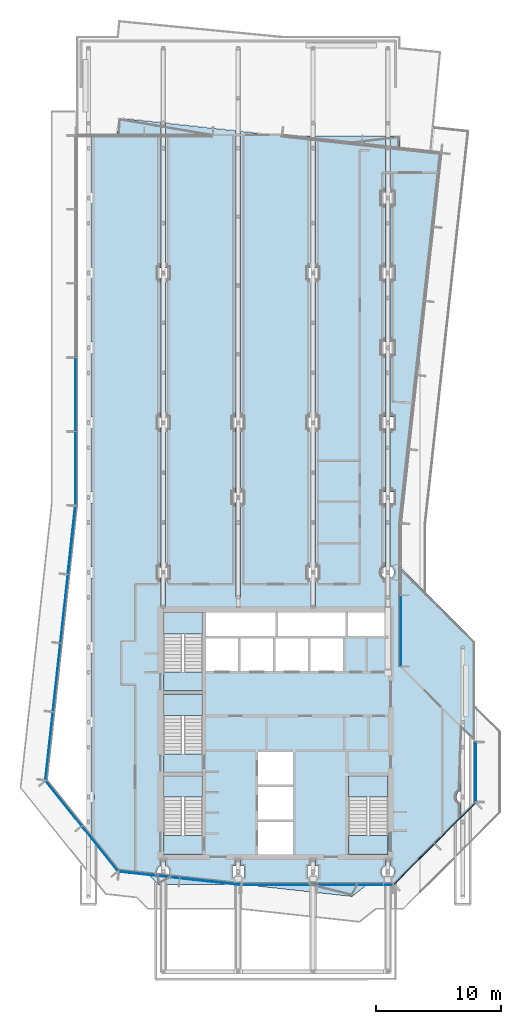
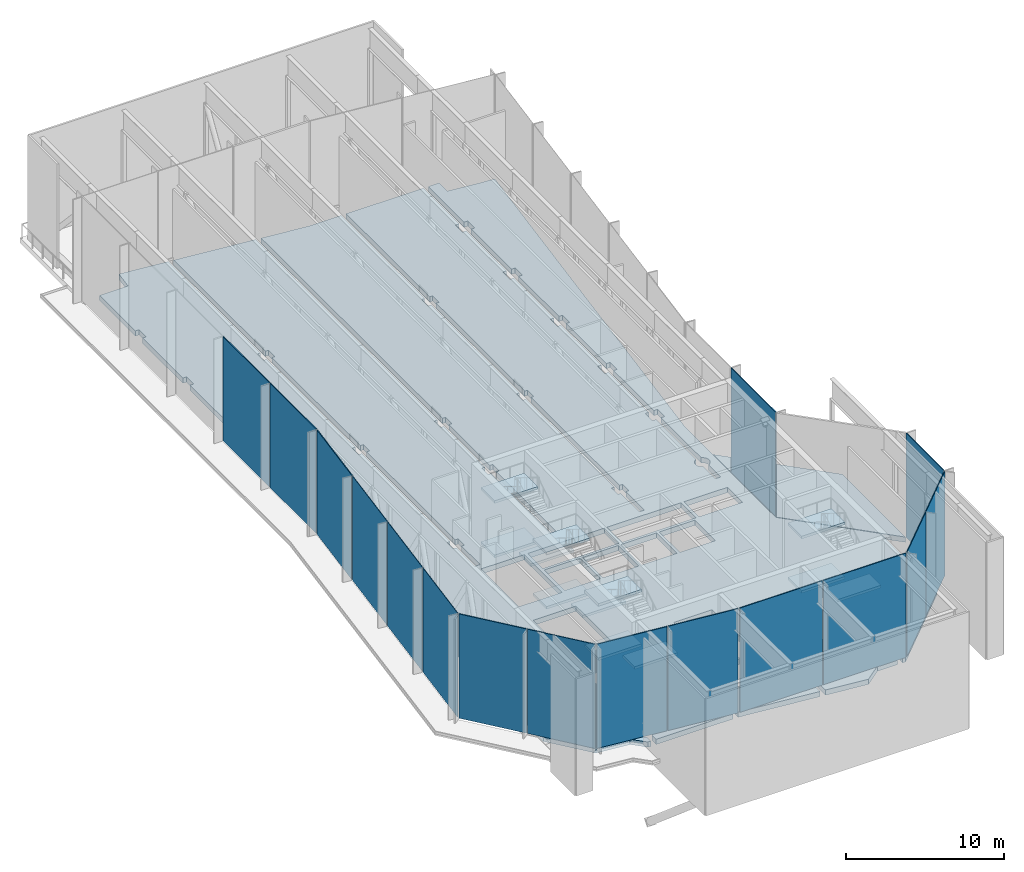
# One storey, part 10 of 21: 16 plates, 14 slabs, 12 elements without a shape of their own.
"""IFC4 building model written with IfcOpenShell, lengths in metres."""

from ifc_helpers import new_model, si_unit, direction, frame, origin, origin_2d, place, context, subcontext, project, spatial, polyline, rectangle, outline, extrude, material, layer, layer_set, type_object, element, aggregate, save


model = new_model("IFC4")

# Units and contexts
model_context = context("Model", 3, precision=1e-05, world=origin(), true_north=direction((0.0, 1.0)))
body_context = subcontext(model_context, "Body", "Model", "MODEL_VIEW")
ifc_project = project(units=[si_unit("LENGTHUNIT", "METRE"), si_unit("AREAUNIT", "SQUARE_METRE"), si_unit("VOLUMEUNIT", "CUBIC_METRE"), si_unit("PLANEANGLEUNIT", "RADIAN"), si_unit("MASSUNIT", "GRAM", prefix="KILO")], contexts=[model_context])

# Site, building, storey
site_placement = place(None, origin())
site = spatial("IfcSite", under=ifc_project, at=site_placement, CompositionType="ELEMENT")
building_placement = place(site_placement, origin())
building = spatial("IfcBuilding", under=site, at=building_placement, Name="Welwitschia Terrace Campus", CompositionType="ELEMENT")
storey_placement = place(building_placement, frame((0.0, 0.0, 255.800048828125)))
storey = spatial("IfcBuildingStorey", under=building, at=storey_placement, Name="L57", CompositionType="ELEMENT", Elevation=255.800048828125)

# Curtain wall, plates
ifc_material_1 = material(Name="Bronze anodised aluminium", Category="aluminium")
ifc_layer_1 = layer(ifc_material_1, 0.159912109375)
ifc_layer_set_1 = layer_set([ifc_layer_1], Name="Bronze anodised aluminium")
curtain_wall_type = type_object("IfcCurtainWallType", Name="Curtain wall CW3 commons 6000", PredefinedType="NOTDEFINED", material=ifc_layer_set_1)
curtain_wall_1_placement = place(storey_placement, origin())
curtain_wall_1 = element("IfcCurtainWall", 1, at=curtain_wall_1_placement, inside=storey, type_object=curtain_wall_type, Name="CW L57.8.0", PredefinedType="NOTDEFINED")
ifc_material_2 = material(Name="Tinted bronze-grey glass", Category="glass")
ifc_layer_2 = layer(ifc_material_2, 0.031982421875)
ifc_layer_set_2 = layer_set([ifc_layer_2], Name="Tinted bronze-grey glass")
plate_type_1 = type_object("IfcPlateType", Name="Glass panel 32 tinted", PredefinedType="CURTAIN_PANEL", material=ifc_layer_set_2)
plate_1_placement = place(storey_placement, frame((-1.95458984375, 25.08642578125, 0.0), z_axis=(0.0, 0.0, 1.0), x_axis=(-0.108866874852, -0.994056338222, 0.0)))
plate_1 = element("IfcPlate", 2, at=plate_1_placement, type_object=plate_type_1, Name="Panel L57.8.0.1", PredefinedType="CURTAIN_PANEL", context=body_context, shape_type="SweptSolid", body=[
    extrude(rectangle(XDim=5.479248046875, YDim=0.031982421875, at=origin_2d()), origin(), (0.0, 0.0, 1.0), 8.050048828125),
])
plate_2_placement = place(storey_placement, frame((-2.5576171875, 19.580078125, 0.0), z_axis=(0.0, 0.0, 1.0), x_axis=(-0.108866874852, -0.994056338222, 0.0)))
plate_2 = element("IfcPlate", 3, at=plate_2_placement, type_object=plate_type_1, Name="Panel L57.8.0.2", PredefinedType="CURTAIN_PANEL", context=body_context, shape_type="SweptSolid", body=[
    extrude(rectangle(XDim=5.479248046875, YDim=0.031982421875, at=origin_2d()), origin(), (0.0, 0.0, 1.0), 8.050048828125),
])
plate_3_placement = place(storey_placement, frame((-3.158935546875, 14.088623046875, 0.0), z_axis=(0.0, 0.0, 1.0), x_axis=(-0.108866874852, -0.994056338222, 0.0)))
plate_3 = element("IfcPlate", 4, at=plate_3_placement, type_object=plate_type_1, Name="Panel L57.8.0.3", PredefinedType="CURTAIN_PANEL", context=body_context, shape_type="SweptSolid", body=[
    extrude(rectangle(XDim=5.44921875, YDim=0.031982421875, at=origin_2d()), origin(), (0.0, 0.0, 1.0), 8.050048828125),
])

curtain_wall_2_placement = place(storey_placement, origin())
curtain_wall_2 = element("IfcCurtainWall", 5, at=curtain_wall_2_placement, inside=storey, type_object=curtain_wall_type, Name="CW L57.0.0", PredefinedType="NOTDEFINED")
ifc_material_3 = material(Name="Bronze anodised insulated metal panel")
ifc_layer_3 = layer(ifc_material_3, 0.06005859375)
ifc_layer_set_3 = layer_set([ifc_layer_3], Name="Bronze anodised insulated metal panel")
plate_type_2 = type_object("IfcPlateType", Name="Insulated metal panel 60", PredefinedType="CURTAIN_PANEL", material=ifc_layer_set_3)
plate_4_placement = place(storey_placement, frame((26.099365234375, 4.6142578125, 0.0), z_axis=(0.0, 0.0, 1.0), x_axis=(0.707106781187, 0.707106781187, 0.0)))
plate_4 = element("IfcPlate", 6, at=plate_4_placement, type_object=plate_type_2, Name="Panel L57.0.0.0", PredefinedType="CURTAIN_PANEL", context=body_context, shape_type="SweptSolid", body=[
    extrude(rectangle(XDim=4.587646484375, YDim=0.06005859375, at=origin_2d()), origin(), (0.0, 0.0, 1.0), 8.050048828125),
])
plate_5_placement = place(storey_placement, frame((29.3857421875, 7.900634765625, 0.0), z_axis=(0.0, 0.0, 1.0), x_axis=(0.707106781187, 0.707106781187, 0.0)))
plate_5 = element("IfcPlate", 7, at=plate_5_placement, type_object=plate_type_2, Name="Panel L57.0.0.1", PredefinedType="CURTAIN_PANEL", context=body_context, shape_type="SweptSolid", body=[
    extrude(rectangle(XDim=4.587646484375, YDim=0.06005859375, at=origin_2d()), origin(), (0.0, 0.0, 1.0), 8.050048828125),
])
aggregate(curtain_wall_2, [plate_4, plate_5])

# Curtain wall, plate
curtain_wall_3_placement = place(storey_placement, origin())
curtain_wall_3 = element("IfcCurtainWall", 8, at=curtain_wall_3_placement, inside=storey, type_object=curtain_wall_type, Name="CW L57.1.0", PredefinedType="NOTDEFINED")
plate_6_placement = place(storey_placement, frame((31.050048828125, 12.0, 0.0), z_axis=(0.0, 0.0, 1.0), x_axis=(0.0, 1.0, 0.0)))
plate_6 = element("IfcPlate", 9, at=plate_6_placement, type_object=plate_type_2, Name="Panel L57.1.0.0", PredefinedType="CURTAIN_PANEL", context=body_context, shape_type="SweptSolid", body=[
    extrude(rectangle(XDim=4.749755859375, YDim=0.06005859375, at=origin_2d()), origin(), (0.0, 0.0, 1.0), 8.050048828125),
])
aggregate(curtain_wall_3, [plate_6])

curtain_wall_4_placement = place(storey_placement, origin())
curtain_wall_4 = element("IfcCurtainWall", 10, at=curtain_wall_4_placement, inside=storey, type_object=curtain_wall_type, Name="CW L57.3.0", PredefinedType="NOTDEFINED")
plate_7_placement = place(storey_placement, frame((25.050048828125, 23.321533203125, 0.0), z_axis=(0.0, 0.0, 1.0), x_axis=(0.0, 1.0, 0.0)))
plate_7 = element("IfcPlate", 11, at=plate_7_placement, type_object=plate_type_2, Name="Panel L57.3.0.0", PredefinedType="CURTAIN_PANEL", context=body_context, shape_type="SweptSolid", body=[
    extrude(rectangle(XDim=5.653076171875, YDim=0.06005859375, at=origin_2d()), origin(), (0.0, 0.0, 1.0), 8.050048828125),
])
aggregate(curtain_wall_4, [plate_7])

# Curtain wall, plates
curtain_wall_5_placement = place(storey_placement, origin())
curtain_wall_5 = element("IfcCurtainWall", 12, at=curtain_wall_5_placement, inside=storey, type_object=curtain_wall_type, Name="CW L57.7.0", PredefinedType="NOTDEFINED")
plate_8_placement = place(storey_placement, frame((-1.050048828125, 42.25732421875, 0.0), z_axis=(0.0, 0.0, 1.0), x_axis=(0.0, -1.0, 0.0)))
plate_8 = element("IfcPlate", 13, at=plate_8_placement, type_object=plate_type_2, Name="Panel L57.7.0.3", PredefinedType="CURTAIN_PANEL", context=body_context, shape_type="SweptSolid", body=[
    extrude(rectangle(XDim=5.880859375, YDim=0.06005859375, at=origin_2d()), origin(), (0.0, 0.0, 1.0), 8.050048828125),
])
plate_9_placement = place(storey_placement, frame((-1.050048828125, 36.33154296875, 0.0), z_axis=(0.0, 0.0, 1.0), x_axis=(0.0, -1.0, 0.0)))
plate_9 = element("IfcPlate", 14, at=plate_9_placement, type_object=plate_type_2, Name="Panel L57.7.0.4", PredefinedType="CURTAIN_PANEL", context=body_context, shape_type="SweptSolid", body=[
    extrude(rectangle(XDim=5.850830078125, YDim=0.06005859375, at=origin_2d()), origin(), (0.0, 0.0, 1.0), 8.050048828125),
])
aggregate(curtain_wall_5, [plate_8, plate_9])

# Plate
plate_10_placement = place(storey_placement, frame((-1.353271484375, 30.577880859375, 0.0), z_axis=(0.0, 0.0, 1.0), x_axis=(-0.108866874852, -0.994056338222, 0.0)))
plate_10 = element("IfcPlate", 15, at=plate_10_placement, type_object=plate_type_2, Name="Panel L57.8.0.0", PredefinedType="CURTAIN_PANEL", context=body_context, shape_type="SweptSolid", body=[
    extrude(rectangle(XDim=5.44921875, YDim=0.06005859375, at=origin_2d()), origin(), (0.0, 0.0, 1.0), 8.050048828125),
])

aggregate(curtain_wall_1, [plate_10, plate_1, plate_2, plate_3])

# Curtain wall, plates
curtain_wall_6_placement = place(storey_placement, origin())
curtain_wall_6 = element("IfcCurtainWall", 16, at=curtain_wall_6_placement, inside=storey, type_object=curtain_wall_type, Name="CW L57.9.0", PredefinedType="NOTDEFINED")
plate_11_placement = place(storey_placement, frame((-1.989013671875, 9.48486328125, 0.0), z_axis=(0.0, 0.0, 1.0), x_axis=(0.625923472184, -0.779884483093, 0.0)))
plate_11 = element("IfcPlate", 17, at=plate_11_placement, type_object=plate_type_2, Name="Panel L57.9.0.0", PredefinedType="CURTAIN_PANEL", context=body_context, shape_type="SweptSolid", body=[
    extrude(rectangle(XDim=4.587646484375, YDim=0.06005859375, at=origin_2d()), origin(), (0.0, 0.0, 1.0), 8.050048828125),
])
plate_12_placement = place(storey_placement, frame((0.920166015625, 5.8603515625, 0.0), z_axis=(0.0, 0.0, 1.0), x_axis=(0.625923472184, -0.779884483093, 0.0)))
plate_12 = element("IfcPlate", 18, at=plate_12_placement, type_object=plate_type_2, Name="Panel L57.9.0.1", PredefinedType="CURTAIN_PANEL", context=body_context, shape_type="SweptSolid", body=[
    extrude(rectangle(XDim=4.587646484375, YDim=0.06005859375, at=origin_2d()), origin(), (0.0, 0.0, 1.0), 8.050048828125),
])
aggregate(curtain_wall_6, [plate_11, plate_12])

curtain_wall_7_placement = place(storey_placement, origin())
curtain_wall_7 = element("IfcCurtainWall", 19, at=curtain_wall_7_placement, inside=storey, type_object=curtain_wall_type, Name="CW L57.10.0", PredefinedType="NOTDEFINED")
plate_13_placement = place(storey_placement, frame((4.861328125, 3.75439453125, 0.0), z_axis=(0.0, 0.0, 1.0), x_axis=(0.994056338222, -0.108866874852, 0.0)))
plate_13 = element("IfcPlate", 20, at=plate_13_placement, type_object=plate_type_2, Name="Panel L57.10.0.0", PredefinedType="CURTAIN_PANEL", context=body_context, shape_type="SweptSolid", body=[
    extrude(rectangle(XDim=4.845703125, YDim=0.06005859375, at=origin_2d()), origin(), (0.0, 0.0, 1.0), 8.050048828125),
])
plate_14_placement = place(storey_placement, frame((9.73779296875, 3.22021484375, 0.0), z_axis=(0.0, 0.0, 1.0), x_axis=(0.994056338222, -0.108866874852, 0.0)))
plate_14 = element("IfcPlate", 21, at=plate_14_placement, type_object=plate_type_2, Name="Panel L57.10.0.1", PredefinedType="CURTAIN_PANEL", context=body_context, shape_type="SweptSolid", body=[
    extrude(rectangle(XDim=4.845703125, YDim=0.06005859375, at=origin_2d()), origin(), (0.0, 0.0, 1.0), 8.050048828125),
])
aggregate(curtain_wall_7, [plate_13, plate_14])

curtain_wall_8_placement = place(storey_placement, origin())
curtain_wall_8 = element("IfcCurtainWall", 22, at=curtain_wall_8_placement, inside=storey, type_object=curtain_wall_type, Name="CW L57.11.0", PredefinedType="NOTDEFINED")
plate_15_placement = place(storey_placement, frame((15.278076171875, 2.949951171875, 0.0), z_axis=(0.0, 0.0, 1.0), x_axis=(1.0, 0.0, 0.0)))
plate_15 = element("IfcPlate", 23, at=plate_15_placement, type_object=plate_type_2, Name="Panel L57.11.0.0", PredefinedType="CURTAIN_PANEL", context=body_context, shape_type="SweptSolid", body=[
    extrude(rectangle(XDim=6.0244140625, YDim=0.06005859375, at=origin_2d()), origin(), (0.0, 0.0, 1.0), 8.050048828125),
])
plate_16_placement = place(storey_placement, frame((21.36279296875, 2.949951171875, 0.0), z_axis=(0.0, 0.0, 1.0), x_axis=(1.0, 0.0, 0.0)))
plate_16 = element("IfcPlate", 24, at=plate_16_placement, type_object=plate_type_2, Name="Panel L57.11.0.1", PredefinedType="CURTAIN_PANEL", context=body_context, shape_type="SweptSolid", body=[
    extrude(rectangle(XDim=6.0244140625, YDim=0.06005859375, at=origin_2d()), origin(), (0.0, 0.0, 1.0), 8.050048828125),
])
aggregate(curtain_wall_8, [plate_15, plate_16])

# Stair, slabs
ifc_material_4 = material(Name="Concrete C40/50", Category="concrete")
stair_type = type_object("IfcStairType", Name="Stair 48R 175 W1500", PredefinedType="HALF_TURN_STAIR", material=ifc_material_4)
stair_1_placement = place(storey_placement, origin())
stair_1 = element("IfcStair", 25, at=stair_1_placement, inside=storey, type_object=stair_type, Name="L57 Exit stair S1", PredefinedType="HALF_TURN_STAIR")
ifc_material_5 = material(Name="Concrete C40/50", Category="concrete")
ifc_layer_4 = layer(ifc_material_5, 0.199951171875)
ifc_layer_set_4 = layer_set([ifc_layer_4], Name="Concrete C40/50")
slab_type_1 = type_object("IfcSlabType", Name="Stair landing RC", PredefinedType="LANDING", material=ifc_layer_set_4)
slab_1_placement = place(storey_placement, frame((0.0, 0.0, 1.89990234375)))
slab_1 = element("IfcSlab", 26, at=slab_1_placement, type_object=slab_type_1, Name="S1 landing 1", PredefinedType="LANDING", context=body_context, shape_type="SweptSolid", body=[
    extrude(outline(polyline([(9.14990234375, 9.97998046875), (9.14990234375, 11.699951171875), (6.0, 11.699951171875), (6.0, 9.97998046875), (9.14990234375, 9.97998046875)])), origin(), (0.0, 0.0, 1.0), 0.199951171875),
])
slab_2_placement = place(storey_placement, frame((0.0, 0.0, 4.0)))
slab_2 = element("IfcSlab", 27, at=slab_2_placement, type_object=slab_type_1, Name="S1 landing 2", PredefinedType="LANDING", context=body_context, shape_type="SweptSolid", body=[
    extrude(outline(polyline([(9.14990234375, 5.39990234375), (9.14990234375, 6.89990234375), (6.0, 6.89990234375), (6.0, 5.39990234375), (9.14990234375, 5.39990234375)])), origin(), (0.0, 0.0, 1.0), 0.199951171875),
])
slab_3_placement = place(storey_placement, frame((0.0, 0.0, 6.099853515625)))
slab_3 = element("IfcSlab", 28, at=slab_3_placement, type_object=slab_type_1, Name="S1 landing 3", PredefinedType="LANDING", context=body_context, shape_type="SweptSolid", body=[
    extrude(outline(polyline([(9.14990234375, 9.97998046875), (9.14990234375, 11.699951171875), (6.0, 11.699951171875), (6.0, 9.97998046875), (9.14990234375, 9.97998046875)])), origin(), (0.0, 0.0, 1.0), 0.2001953125),
])
aggregate(stair_1, [slab_1, slab_2, slab_3])

stair_2_placement = place(storey_placement, origin())
stair_2 = element("IfcStair", 29, at=stair_2_placement, inside=storey, type_object=stair_type, Name="L57 Exit stair S3", PredefinedType="HALF_TURN_STAIR")
slab_4_placement = place(storey_placement, frame((0.0, 0.0, 1.89990234375)))
slab_4 = element("IfcSlab", 30, at=slab_4_placement, type_object=slab_type_1, Name="S3 landing 1", PredefinedType="LANDING", context=body_context, shape_type="SweptSolid", body=[
    extrude(outline(polyline([(9.14990234375, 16.530029296875), (9.14990234375, 18.25), (6.0, 18.25), (6.0, 16.530029296875), (9.14990234375, 16.530029296875)])), origin(), (0.0, 0.0, 1.0), 0.199951171875),
])
slab_5_placement = place(storey_placement, frame((0.0, 0.0, 4.0)))
slab_5 = element("IfcSlab", 31, at=slab_5_placement, type_object=slab_type_1, Name="S3 landing 2", PredefinedType="LANDING", context=body_context, shape_type="SweptSolid", body=[
    extrude(outline(polyline([(9.14990234375, 11.949951171875), (9.14990234375, 13.449951171875), (6.0, 13.449951171875), (6.0, 11.949951171875), (9.14990234375, 11.949951171875)])), origin(), (0.0, 0.0, 1.0), 0.199951171875),
])
slab_6_placement = place(storey_placement, frame((0.0, 0.0, 6.099853515625)))
slab_6 = element("IfcSlab", 32, at=slab_6_placement, type_object=slab_type_1, Name="S3 landing 3", PredefinedType="LANDING", context=body_context, shape_type="SweptSolid", body=[
    extrude(outline(polyline([(9.14990234375, 16.530029296875), (9.14990234375, 18.25), (6.0, 18.25), (6.0, 16.530029296875), (9.14990234375, 16.530029296875)])), origin(), (0.0, 0.0, 1.0), 0.2001953125),
])
aggregate(stair_2, [slab_4, slab_5, slab_6])

stair_3_placement = place(storey_placement, origin())
stair_3 = element("IfcStair", 33, at=stair_3_placement, inside=storey, type_object=stair_type, Name="L57 Exit stair S4", PredefinedType="HALF_TURN_STAIR")
slab_7_placement = place(storey_placement, frame((0.0, 0.0, 1.89990234375)))
slab_7 = element("IfcSlab", 34, at=slab_7_placement, type_object=slab_type_1, Name="S4 landing 1", PredefinedType="LANDING", context=body_context, shape_type="SweptSolid", body=[
    extrude(outline(polyline([(9.14990234375, 23.080078125), (9.14990234375, 24.800048828125), (6.0, 24.800048828125), (6.0, 23.080078125), (9.14990234375, 23.080078125)])), origin(), (0.0, 0.0, 1.0), 0.199951171875),
])
slab_8_placement = place(storey_placement, frame((0.0, 0.0, 4.0)))
slab_8 = element("IfcSlab", 35, at=slab_8_placement, type_object=slab_type_1, Name="S4 landing 2", PredefinedType="LANDING", context=body_context, shape_type="SweptSolid", body=[
    extrude(outline(polyline([(9.14990234375, 18.5), (9.14990234375, 20.0), (6.0, 20.0), (6.0, 18.5), (9.14990234375, 18.5)])), origin(), (0.0, 0.0, 1.0), 0.199951171875),
])
slab_9_placement = place(storey_placement, frame((0.0, 0.0, 6.099853515625)))
slab_9 = element("IfcSlab", 36, at=slab_9_placement, type_object=slab_type_1, Name="S4 landing 3", PredefinedType="LANDING", context=body_context, shape_type="SweptSolid", body=[
    extrude(outline(polyline([(9.14990234375, 23.080078125), (9.14990234375, 24.800048828125), (6.0, 24.800048828125), (6.0, 23.080078125), (9.14990234375, 23.080078125)])), origin(), (0.0, 0.0, 1.0), 0.2001953125),
])
aggregate(stair_3, [slab_7, slab_8, slab_9])

stair_4_placement = place(storey_placement, origin())
stair_4 = element("IfcStair", 37, at=stair_4_placement, inside=storey, type_object=stair_type, Name="L57 Exit stair S2", PredefinedType="HALF_TURN_STAIR")
slab_10_placement = place(storey_placement, frame((0.0, 0.0, 1.89990234375)))
slab_10 = element("IfcSlab", 38, at=slab_10_placement, type_object=slab_type_1, Name="S2 landing 1", PredefinedType="LANDING", context=body_context, shape_type="SweptSolid", body=[
    extrude(outline(polyline([(24.0, 9.97998046875), (24.0, 11.699951171875), (20.85009765625, 11.699951171875), (20.85009765625, 9.97998046875), (24.0, 9.97998046875)])), origin(), (0.0, 0.0, 1.0), 0.199951171875),
])
slab_11_placement = place(storey_placement, frame((0.0, 0.0, 4.0)))
slab_11 = element("IfcSlab", 39, at=slab_11_placement, type_object=slab_type_1, Name="S2 landing 2", PredefinedType="LANDING", context=body_context, shape_type="SweptSolid", body=[
    extrude(outline(polyline([(24.0, 5.39990234375), (24.0, 6.89990234375), (20.85009765625, 6.89990234375), (20.85009765625, 5.39990234375), (24.0, 5.39990234375)])), origin(), (0.0, 0.0, 1.0), 0.199951171875),
])
slab_12_placement = place(storey_placement, frame((0.0, 0.0, 6.099853515625)))
slab_12 = element("IfcSlab", 40, at=slab_12_placement, type_object=slab_type_1, Name="S2 landing 3", PredefinedType="LANDING", context=body_context, shape_type="SweptSolid", body=[
    extrude(outline(polyline([(24.0, 9.97998046875), (24.0, 11.699951171875), (20.85009765625, 11.699951171875), (20.85009765625, 9.97998046875), (24.0, 9.97998046875)])), origin(), (0.0, 0.0, 1.0), 0.2001953125),
])
aggregate(stair_4, [slab_10, slab_11, slab_12])

# Slabs
ifc_material_6 = material(Name="Concrete C40/50", Category="concrete")
ifc_layer_5 = layer(ifc_material_6, 0.39990234375)
ifc_layer_set_5 = layer_set([ifc_layer_5], Name="Concrete C40/50")
slab_type_2 = type_object("IfcSlabType", Name="Suspended floor slab 400", PredefinedType="FLOOR", material=ifc_layer_set_5)
slab_13_placement = place(storey_placement, frame((0.0, 0.0, -0.400146484375)))
element("IfcSlab", 41, at=slab_13_placement, inside=storey, type_object=slab_type_2, Name="Floor slab L57", PredefinedType="FLOOR", context=body_context, shape_type="SweptSolid", body=[
    extrude(outline(polyline([(21.135986328125, 2.022216796875), (18.18505859375, 2.345458984375), (18.18505859375, 3.550048828125), (18.449951171875, 3.550048828125), (18.449951171875, 4.449951171875), (18.18505859375, 4.449951171875), (18.18505859375, 4.949951171875), (17.81494140625, 4.949951171875), (17.81494140625, 4.449951171875), (17.550048828125, 4.449951171875), (17.550048828125, 3.550048828125), (17.81494140625, 3.550048828125), (17.81494140625, 2.385986328125), (12.208740234375, 3.0), (12.18505859375, 3.0), (12.18505859375, 3.550048828125), (12.449951171875, 3.550048828125), (12.449951171875, 4.449951171875), (12.18505859375, 4.449951171875), (12.18505859375, 4.949951171875), (11.81494140625, 4.949951171875), (11.81494140625, 4.449951171875), (11.550048828125, 4.449951171875), (11.550048828125, 3.550048828125), (11.81494140625, 3.550048828125), (11.81494140625, 3.0), (6.18505859375, 3.0), (6.18505859375, 3.5361328125), (6.19140625, 3.5380859375), (6.27783203125, 3.584228515625), (6.353515625, 3.646484375), (6.415771484375, 3.72216796875), (6.4619140625, 3.80859375), (6.490478515625, 3.90234375), (6.5, 4.0), (6.490478515625, 4.09765625), (6.4619140625, 4.19140625), (6.415771484375, 4.27783203125), (6.353515625, 4.353515625), (6.27783203125, 4.415771484375), (6.19140625, 4.4619140625), (6.18505859375, 4.4638671875), (6.18505859375, 4.949951171875), (5.81494140625, 4.949951171875), (5.81494140625, 4.4638671875), (5.80859375, 4.4619140625), (5.72216796875, 4.415771484375), (5.646484375, 4.353515625), (5.584228515625, 4.27783203125), (5.5380859375, 4.19140625), (5.509521484375, 4.09765625), (5.5, 4.0), (5.509521484375, 3.90234375), (5.5380859375, 3.80859375), (5.584228515625, 3.72216796875), (5.646484375, 3.646484375), (5.72216796875, 3.584228515625), (5.80859375, 3.5380859375), (5.81494140625, 3.5361328125), (5.81494140625, 3.0), (5.585693359375, 3.0), (4.771240234375, 3.814453125), (2.41943359375, 4.072021484375), (0.18505859375, 6.856201171875), (0.18505859375, 9.5361328125), (0.19140625, 9.5380859375), (0.27783203125, 9.584228515625), (0.353515625, 9.646484375), (0.415771484375, 9.72216796875), (0.4619140625, 9.80859375), (0.490478515625, 9.90234375), (0.5, 10.0), (0.490478515625, 10.09765625), (0.4619140625, 10.19140625), (0.415771484375, 10.27783203125), (0.353515625, 10.353515625), (0.27783203125, 10.415771484375), (0.19140625, 10.4619140625), (0.18505859375, 10.4638671875), (0.18505859375, 15.550048828125), (0.449951171875, 15.550048828125), (0.449951171875, 16.449951171875), (0.18505859375, 16.449951171875), (0.18505859375, 21.550048828125), (0.449951171875, 21.550048828125), (0.449951171875, 22.449951171875), (0.18505859375, 22.449951171875), (0.18505859375, 27.550048828125), (0.449951171875, 27.550048828125), (0.449951171875, 28.449951171875), (0.18505859375, 28.449951171875), (0.18505859375, 33.550048828125), (0.449951171875, 33.550048828125), (0.449951171875, 34.449951171875), (0.18505859375, 34.449951171875), (0.18505859375, 39.550048828125), (0.449951171875, 39.550048828125), (0.449951171875, 40.449951171875), (0.18505859375, 40.449951171875), (0.18505859375, 45.550048828125), (0.449951171875, 45.550048828125), (0.449951171875, 46.449951171875), (0.18505859375, 46.449951171875), (0.18505859375, 51.550048828125), (0.449951171875, 51.550048828125), (0.449951171875, 52.449951171875), (0.18505859375, 52.449951171875), (0.18505859375, 57.550048828125), (0.449951171875, 57.550048828125), (0.449951171875, 58.449951171875), (0.18505859375, 58.449951171875), (0.18505859375, 62.985107421875), (2.248046875, 62.985107421875), (2.249267578125, 62.985107421875), (2.250732421875, 62.9853515625), (2.252197265625, 62.985595703125), (2.253662109375, 62.986083984375), (2.2548828125, 62.98681640625), (2.256103515625, 62.987548828125), (2.25732421875, 62.98828125), (2.258544921875, 62.9892578125), (2.259521484375, 62.990478515625), (2.26025390625, 62.991455078125), (2.260986328125, 62.992919921875), (2.26171875, 62.994140625), (2.26220703125, 62.99560546875), (2.2626953125, 62.996826171875), (2.262939453125, 62.998291015625), (2.41796875, 64.416015625), (5.8134765625, 64.0439453125), (5.8134765625, 64.044189453125), (5.802001953125, 64.056884765625), (5.81494140625, 64.056884765625), (5.81494140625, 52.39990234375), (5.60009765625, 52.39990234375), (5.60009765625, 51.60009765625), (5.81494140625, 51.60009765625), (5.81494140625, 40.39990234375), (5.60009765625, 40.39990234375), (5.60009765625, 39.60009765625), (5.81494140625, 39.60009765625), (5.81494140625, 28.39990234375), (5.60009765625, 28.39990234375), (5.60009765625, 27.60009765625), (5.81494140625, 27.60009765625), (5.81494140625, 25.25), (6.18505859375, 25.25), (6.18505859375, 27.60009765625), (6.39990234375, 27.60009765625), (6.39990234375, 28.39990234375), (6.18505859375, 28.39990234375), (6.18505859375, 39.60009765625), (6.39990234375, 39.60009765625), (6.39990234375, 40.39990234375), (6.18505859375, 40.39990234375), (6.18505859375, 51.60009765625), (6.39990234375, 51.60009765625), (6.39990234375, 52.39990234375), (6.18505859375, 52.39990234375), (6.18505859375, 64.00341796875), (11.8134765625, 63.386962890625), (11.8134765625, 63.38720703125), (11.802001953125, 63.39990234375), (11.81494140625, 63.39990234375), (11.81494140625, 40.39990234375), (11.60009765625, 40.39990234375), (11.60009765625, 39.60009765625), (11.81494140625, 39.60009765625), (11.81494140625, 34.39990234375), (11.60009765625, 34.39990234375), (11.60009765625, 33.60009765625), (11.81494140625, 33.60009765625), (11.81494140625, 26.0), (12.18505859375, 26.0), (12.18505859375, 33.60009765625), (12.39990234375, 33.60009765625), (12.39990234375, 34.39990234375), (12.18505859375, 34.39990234375), (12.18505859375, 39.60009765625), (12.39990234375, 39.60009765625), (12.39990234375, 40.39990234375), (12.18505859375, 40.39990234375), (12.18505859375, 63.34619140625), (15.482666015625, 62.985107421875), (15.484375, 62.985107421875), (17.81494140625, 62.985107421875), (17.81494140625, 52.39990234375), (17.60009765625, 52.39990234375), (17.60009765625, 51.60009765625), (17.81494140625, 51.60009765625), (17.81494140625, 40.39990234375), (17.60009765625, 40.39990234375), (17.60009765625, 39.60009765625), (17.81494140625, 39.60009765625), (17.81494140625, 28.39990234375), (17.60009765625, 28.39990234375), (17.60009765625, 27.60009765625), (17.81494140625, 27.60009765625), (17.81494140625, 25.25), (18.18505859375, 25.25), (18.18505859375, 27.60009765625), (18.39990234375, 27.60009765625), (18.39990234375, 28.39990234375), (18.18505859375, 28.39990234375), (18.18505859375, 39.60009765625), (18.39990234375, 39.60009765625), (18.39990234375, 40.39990234375), (18.18505859375, 40.39990234375), (18.18505859375, 51.60009765625), (18.39990234375, 51.60009765625), (18.39990234375, 52.39990234375), (18.18505859375, 52.39990234375), (18.18505859375, 62.985107421875), (23.81494140625, 62.985107421875), (23.81494140625, 58.449951171875), (23.550048828125, 58.449951171875), (23.550048828125, 57.550048828125), (23.81494140625, 57.550048828125), (23.81494140625, 52.449951171875), (23.550048828125, 52.449951171875), (23.550048828125, 51.550048828125), (23.81494140625, 51.550048828125), (23.81494140625, 46.449951171875), (23.550048828125, 46.449951171875), (23.550048828125, 45.550048828125), (23.81494140625, 45.550048828125), (23.81494140625, 40.449951171875), (23.550048828125, 40.449951171875), (23.550048828125, 39.550048828125), (23.81494140625, 39.550048828125), (23.81494140625, 34.449951171875), (23.550048828125, 34.449951171875), (23.550048828125, 33.550048828125), (23.81494140625, 33.550048828125), (23.81494140625, 28.4638671875), (23.80859375, 28.4619140625), (23.72216796875, 28.415771484375), (23.646484375, 28.353515625), (23.584228515625, 28.27783203125), (23.5380859375, 28.19140625), (23.509521484375, 28.09765625), (23.5, 28.0), (23.509521484375, 27.90234375), (23.5380859375, 27.80859375), (23.584228515625, 27.72216796875), (23.646484375, 27.646484375), (23.72216796875, 27.584228515625), (23.80859375, 27.5380859375), (23.81494140625, 27.5361328125), (23.81494140625, 26.0), (24.18505859375, 26.0), (24.18505859375, 27.5361328125), (24.19140625, 27.5380859375), (24.27783203125, 27.584228515625), (24.353515625, 27.646484375), (24.415771484375, 27.72216796875), (24.4619140625, 27.80859375), (24.490478515625, 27.90234375), (24.5, 28.0), (24.490478515625, 28.09765625), (24.4619140625, 28.19140625), (24.415771484375, 28.27783203125), (24.353515625, 28.353515625), (24.27783203125, 28.415771484375), (24.19140625, 28.4619140625), (24.18505859375, 28.4638671875), (24.18505859375, 33.550048828125), (24.449951171875, 33.550048828125), (24.449951171875, 34.449951171875), (24.18505859375, 34.449951171875), (24.18505859375, 39.550048828125), (24.449951171875, 39.550048828125), (24.449951171875, 40.449951171875), (24.18505859375, 40.449951171875), (24.18505859375, 45.550048828125), (24.449951171875, 45.550048828125), (24.449951171875, 46.449951171875), (24.18505859375, 46.449951171875), (24.18505859375, 51.550048828125), (24.449951171875, 51.550048828125), (24.449951171875, 52.449951171875), (24.18505859375, 52.449951171875), (24.18505859375, 57.550048828125), (24.449951171875, 57.550048828125), (24.449951171875, 58.449951171875), (24.18505859375, 58.449951171875), (24.18505859375, 62.985107421875), (24.985107421875, 62.985107421875), (24.985107421875, 61.957763671875), (24.985107421875, 61.956298828125), (24.9853515625, 61.955078125), (24.985595703125, 61.95361328125), (24.986083984375, 61.9521484375), (24.98681640625, 61.950927734375), (24.987548828125, 61.94970703125), (24.98828125, 61.948486328125), (24.9892578125, 61.947265625), (24.990478515625, 61.9462890625), (24.991455078125, 61.945556640625), (24.992919921875, 61.944580078125), (24.994140625, 61.944091796875), (24.99560546875, 61.943603515625), (24.996826171875, 61.943115234375), (24.998291015625, 61.94287109375), (27.4873046875, 61.67041015625), (27.48876953125, 61.685302734375), (28.250244140625, 61.601806640625), (25.0, 31.923828125), (25.0, 28.416259765625), (24.985107421875, 28.416259765625), (24.985107421875, 20.414306640625), (24.985107421875, 20.412841796875), (24.9853515625, 20.411376953125), (24.985595703125, 20.409912109375), (24.986083984375, 20.408447265625), (24.98681640625, 20.4072265625), (24.987548828125, 20.40576171875), (24.988525390625, 20.40478515625), (24.989501953125, 20.403564453125), (29.804443359375, 15.588623046875), (29.804443359375, 15.588623046875), (29.80126953125, 15.596435546875), (29.81494140625, 15.596435546875), (29.81494140625, 10.4638671875), (29.80859375, 10.4619140625), (29.72216796875, 10.415771484375), (29.646484375, 10.353515625), (29.584228515625, 10.27783203125), (29.5380859375, 10.19140625), (29.509521484375, 10.09765625), (29.5, 10.0), (29.509521484375, 9.90234375), (29.5380859375, 9.80859375), (29.584228515625, 9.72216796875), (29.646484375, 9.646484375), (29.72216796875, 9.584228515625), (29.80859375, 9.5380859375), (29.81494140625, 9.5361328125), (29.81494140625, 8.40087890625), (24.414306640625, 3.0), (24.18505859375, 3.0), (24.18505859375, 3.5361328125), (24.19140625, 3.5380859375), (24.27783203125, 3.584228515625), (24.353515625, 3.646484375), (24.415771484375, 3.72216796875), (24.4619140625, 3.80859375), (24.490478515625, 3.90234375), (24.5, 4.0), (24.490478515625, 4.09765625), (24.4619140625, 4.19140625), (24.415771484375, 4.27783203125), (24.353515625, 4.353515625), (24.27783203125, 4.415771484375), (24.19140625, 4.4619140625), (24.18505859375, 4.4638671875), (24.18505859375, 4.949951171875), (23.81494140625, 4.949951171875), (23.81494140625, 4.4638671875), (23.80859375, 4.4619140625), (23.72216796875, 4.415771484375), (23.646484375, 4.353515625), (23.584228515625, 4.27783203125), (23.5380859375, 4.19140625), (23.509521484375, 4.09765625), (23.5, 4.0), (23.509521484375, 3.90234375), (23.5380859375, 3.80859375), (23.584228515625, 3.72216796875), (23.646484375, 3.646484375), (23.72216796875, 3.584228515625), (23.80859375, 3.5380859375), (23.81494140625, 3.5361328125), (23.81494140625, 3.0), (22.354248046875, 3.0), (21.135986328125, 2.022216796875)]), holes=[polyline([(9.14990234375, 18.25), (6.0, 18.25), (6.0, 13.451904296875), (9.14990234375, 13.451904296875), (9.14990234375, 18.25)]), polyline([(9.14990234375, 24.800048828125), (6.0, 24.800048828125), (6.0, 20.001953125), (9.14990234375, 20.001953125), (9.14990234375, 24.800048828125)]), polyline([(16.39990234375, 5.39990234375), (16.39990234375, 8.0), (13.60009765625, 8.0), (13.60009765625, 5.39990234375), (16.39990234375, 5.39990234375)]), polyline([(9.14990234375, 6.902099609375), (9.14990234375, 11.699951171875), (6.0, 11.699951171875), (6.0, 6.902099609375), (9.14990234375, 6.902099609375)]), polyline([(16.39990234375, 8.199951171875), (16.39990234375, 10.800048828125), (13.60009765625, 10.800048828125), (13.60009765625, 8.199951171875), (16.39990234375, 8.199951171875)]), polyline([(16.39990234375, 11.0), (16.39990234375, 13.60009765625), (13.60009765625, 13.60009765625), (13.60009765625, 11.0), (16.39990234375, 11.0)]), polyline([(14.800048828125, 20.10009765625), (14.800048828125, 22.699951171875), (12.199951171875, 22.699951171875), (12.199951171875, 20.10009765625), (14.800048828125, 20.10009765625)]), polyline([(17.60009765625, 22.699951171875), (15.0, 22.699951171875), (15.0, 20.10009765625), (17.60009765625, 20.10009765625), (17.60009765625, 22.699951171875)]), polyline([(12.0, 20.10009765625), (12.0, 22.699951171875), (9.39990234375, 22.699951171875), (9.39990234375, 20.10009765625), (12.0, 20.10009765625)]), polyline([(15.0, 22.89990234375), (15.0, 24.800048828125), (9.39990234375, 24.800048828125), (9.39990234375, 22.89990234375), (15.0, 22.89990234375)]), polyline([(20.60009765625, 24.800048828125), (15.199951171875, 24.800048828125), (15.199951171875, 22.89990234375), (20.60009765625, 22.89990234375), (20.60009765625, 24.800048828125)]), polyline([(24.0, 11.699951171875), (20.85009765625, 11.699951171875), (20.85009765625, 6.902099609375), (24.0, 6.902099609375), (24.0, 11.699951171875)]), polyline([(20.39990234375, 22.699951171875), (17.800048828125, 22.699951171875), (17.800048828125, 20.10009765625), (20.39990234375, 20.10009765625), (20.39990234375, 22.699951171875)]), polyline([(24.0, 22.89990234375), (24.0, 24.800048828125), (20.800048828125, 24.800048828125), (20.800048828125, 22.89990234375), (24.0, 22.89990234375)])]), origin(), (0.0, 0.0, 1.0), 0.400146484375),
])
ifc_material_7 = material(Name="Concrete C40/50", Category="concrete")
ifc_layer_6 = layer(ifc_material_7, 0.39990234375)
ifc_layer_set_6 = layer_set([ifc_layer_6], Name="Concrete C40/50")
slab_type_3 = type_object("IfcSlabType", Name="Terrace slab 400", PredefinedType="FLOOR", material=ifc_layer_set_6)
slab_14_placement = place(storey_placement, frame((0.0, 0.0, -0.400146484375)))
element("IfcSlab", 42, at=slab_14_placement, inside=storey, type_object=slab_type_3, Name="Terrace slab", PredefinedType="FLOOR", context=body_context, shape_type="SweptSolid", body=[
    extrude(outline(polyline([(31.0, 22.414306640625), (31.0, 14.414306640625), (29.81787109375, 15.596435546875), (29.830078125, 15.596435546875), (29.830078125, 15.59912109375), (29.829833984375, 15.6005859375), (29.82958984375, 15.60205078125), (29.829345703125, 15.603515625), (29.828857421875, 15.60498046875), (29.828125, 15.606201171875), (29.827392578125, 15.607666015625), (29.82666015625, 15.608642578125), (29.82568359375, 15.60986328125), (25.014892578125, 20.42041015625), (25.014892578125, 28.399169921875), (31.0, 22.414306640625)])), origin(), (0.0, 0.0, 1.0), 0.400146484375),
])

save(model, "model.ifc")
